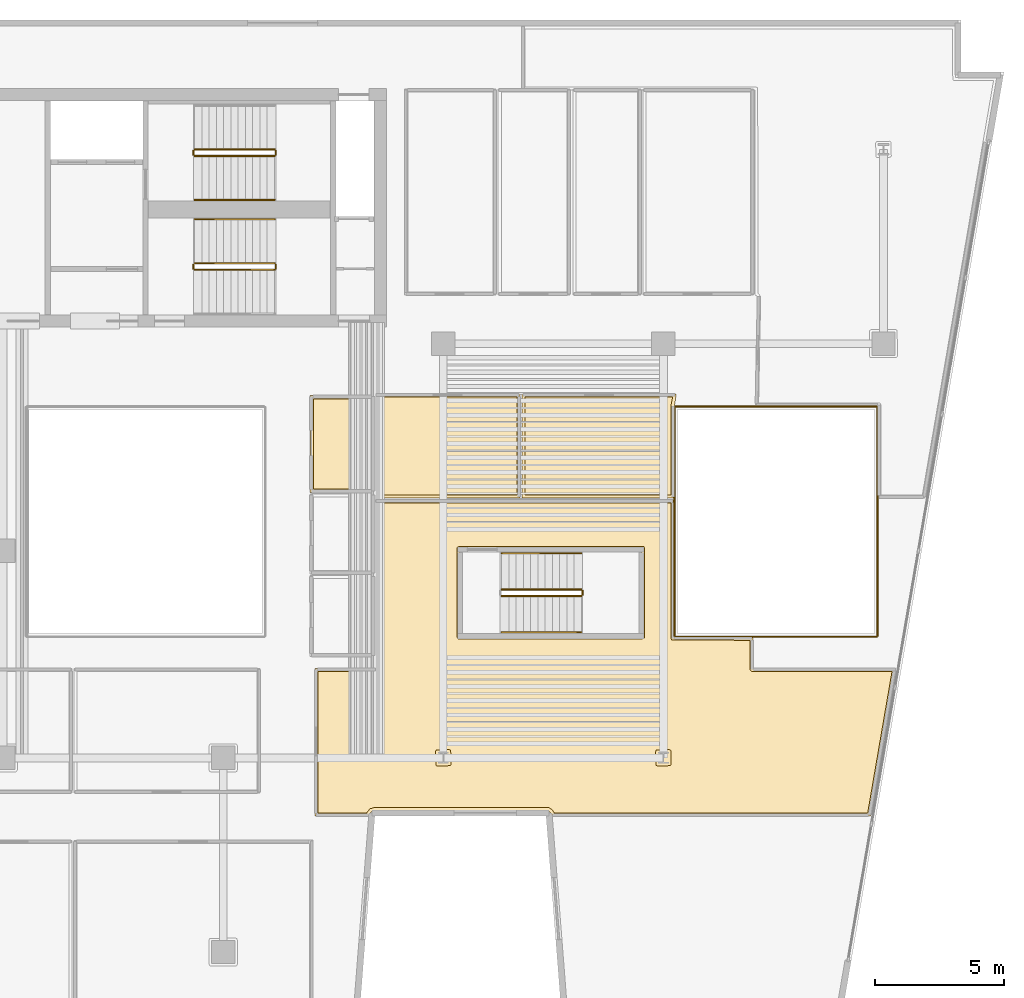
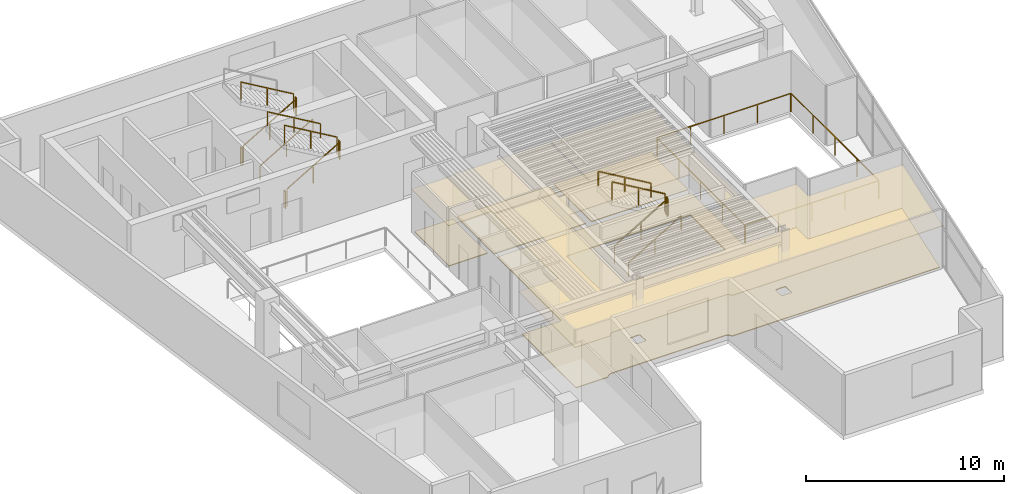
# One storey, part 8 of 9: 19 railings, 8 coverings.
"""IFC4 building model written with IfcOpenShell, lengths in metres."""

from ifc_helpers import new_model, si_unit, direction, frame, origin, origin_2d, place, context, subcontext, project, spatial, polyline, rectangle, outline, extrude, material, layer, layer_set, type_object, element, save


model = new_model("IFC4")

# Units and contexts
model_context = context("Model", 3, precision=1e-05, world=origin(), true_north=direction((0.0, 1.0)))
body_context = subcontext(model_context, "Body", "Model", "MODEL_VIEW")
ifc_project = project(units=[si_unit("LENGTHUNIT", "METRE"), si_unit("AREAUNIT", "SQUARE_METRE"), si_unit("VOLUMEUNIT", "CUBIC_METRE"), si_unit("PLANEANGLEUNIT", "RADIAN"), si_unit("MASSUNIT", "GRAM", prefix="KILO")], contexts=[model_context])

# Site, building, storey
site_placement = place(None, origin())
site = spatial("IfcSite", under=ifc_project, at=site_placement, CompositionType="ELEMENT")
building_placement = place(site_placement, origin())
building = spatial("IfcBuilding", under=site, at=building_placement, Name="Caeloran Harvest Quay", CompositionType="ELEMENT")
storey_placement = place(building_placement, frame((0.0, 0.0, 211.39990234375)))
storey = spatial("IfcBuildingStorey", under=building, at=storey_placement, Name="L50", CompositionType="ELEMENT", Elevation=211.39990234375)

# Coverings
ifc_material_1 = material(Name="Perforated Mineral-Fibre Acoustic Ceiling Tile", Category="ceiling")
ifc_layer_1 = layer(ifc_material_1, 0.0400390625, Name="Perforated Mineral-Fibre Acoustic Ceiling Tile")
ifc_layer_set_1 = layer_set([ifc_layer_1], Name="Perforated Mineral-Fibre Acoustic Ceiling Tile")
covering_type_1 = type_object("IfcCoveringType", Name="COV-CEILING-ACOUSTIC", PredefinedType="CEILING", material=ifc_layer_set_1)
covering_1_placement = place(storey_placement, frame((0.0, 0.0, 2.60009765625)))
element("IfcCovering", 1, at=covering_1_placement, inside=storey, type_object=covering_type_1, Name="L50 Male Washroom WC Acoustic Ceiling", PredefinedType="CEILING", context=body_context, shape_type="SweptSolid", body=[
    extrude(outline(polyline([(22.840087890625, 28.989990234375), (22.840087890625, 25.260009765625), (20.360107421875, 25.260009765625), (20.360107421875, 28.989990234375), (22.840087890625, 28.989990234375)])), origin(), (0.0, 0.0, 1.0), 0.0400390625),
])
covering_2_placement = place(storey_placement, frame((0.0, 0.0, 2.60009765625)))
element("IfcCovering", 2, at=covering_2_placement, inside=storey, type_object=covering_type_1, Name="Roundtable Conference Room Acoustic Ceiling", PredefinedType="CEILING", context=body_context, shape_type="SweptSolid", body=[
    extrude(outline(polyline([(22.594482421875, 12.760009765625), (20.5400390625, 12.760009765625), (20.5400390625, 18.4599609375), (22.85009765625, 18.4599609375), (22.8701171875, 24.9599609375), (34.409912109375, 24.9599609375), (34.409912109375, 19.659912109375), (37.4599609375, 19.659912109375), (37.4599609375, 18.4599609375), (42.972900390625, 18.4599609375), (41.993408203125, 12.760009765625), (29.727294921875, 12.760009765625), (29.64111328125, 12.887451171875), (29.54150390625, 12.969970703125), (22.85791015625, 12.969970703125), (22.792236328125, 12.960205078125), (22.7158203125, 12.918701171875), (22.672607421875, 12.86962890625), (22.64208984375, 12.796142578125), (22.594482421875, 12.760009765625)]), holes=[polyline([(33.159912109375, 19.719970703125), (33.159912109375, 23.059814453125), (26.143798828125, 23.044189453125), (26.15576171875, 19.693603515625), (33.159912109375, 19.719970703125)])]), origin(), (0.0, 0.0, 1.0), 0.0400390625),
])
covering_3_placement = place(storey_placement, frame((0.0, 0.0, 2.60009765625)))
element("IfcCovering", 3, at=covering_3_placement, inside=storey, type_object=covering_type_1, Name="Harbour Tea Kitchen Acoustic Ceiling", PredefinedType="CEILING", context=body_context, shape_type="SweptSolid", body=[
    extrude(outline(polyline([(22.8701171875, 25.0400390625), (22.8701171875, 29.06005859375), (28.4599609375, 29.06005859375), (28.4599609375, 25.0400390625), (22.8701171875, 25.0400390625)])), origin(), (0.0, 0.0, 1.0), 0.0400390625),
])
covering_4_placement = place(storey_placement, frame((0.0, 0.0, 2.60009765625)))
element("IfcCovering", 4, at=covering_4_placement, inside=storey, type_object=covering_type_1, Name="Food-Security Culinary Kitchen 7 Acoustic Ceiling", PredefinedType="CEILING", context=body_context, shape_type="SweptSolid", body=[
    extrude(outline(polyline([(34.409912109375, 28.592041015625), (34.409912109375, 25.0400390625), (28.5400390625, 25.0400390625), (28.5400390625, 29.06005859375), (34.49853515625, 29.06005859375), (34.429931640625, 28.596923828125), (34.409912109375, 28.592041015625)])), origin(), (0.0, 0.0, 1.0), 0.0400390625),
])
ifc_material_2 = material(Name="Calcium-Sulphate Raised Access Floor and Terrazzo Finish", Category="flooring")
ifc_layer_2 = layer(ifc_material_2, 0.050048828125, Name="Calcium-Sulphate Raised Access Floor and Terrazzo Finish")
ifc_layer_set_2 = layer_set([ifc_layer_2], Name="Calcium-Sulphate Raised Access Floor and Terrazzo Finish")
covering_type_2 = type_object("IfcCoveringType", Name="COV-FLOOR-RAISED", PredefinedType="FLOORING", material=ifc_layer_set_2)
covering_5_placement = place(storey_placement, origin())
element("IfcCovering", 5, at=covering_5_placement, inside=storey, type_object=covering_type_2, Name="L50 Male Washroom WC Raised Finish Flooring", PredefinedType="FLOORING", context=body_context, shape_type="SweptSolid", body=[
    extrude(outline(polyline([(22.719970703125, 28.8701171875), (22.719970703125, 25.3798828125), (20.47998046875, 25.3798828125), (20.47998046875, 28.8701171875), (22.719970703125, 28.8701171875)])), origin(), (0.0, 0.0, 1.0), 0.050048828125),
])
covering_6_placement = place(storey_placement, origin())
element("IfcCovering", 6, at=covering_6_placement, inside=storey, type_object=covering_type_2, Name="Roundtable Conference Room Raised Finish Flooring", PredefinedType="FLOORING", context=body_context, shape_type="SweptSolid", body=[
    extrude(outline(polyline([(22.54296875, 12.8798828125), (20.659912109375, 12.8798828125), (20.659912109375, 18.340087890625), (22.889892578125, 18.340087890625), (22.966552734375, 18.396484375), (22.98974609375, 24.840087890625), (34.2900390625, 24.840087890625), (34.2900390625, 19.6201171875), (34.319091796875, 19.55810546875), (37.340087890625, 19.5400390625), (37.34033203125, 18.412109375), (37.412109375, 18.34033203125), (42.83056640625, 18.340087890625), (41.89208984375, 12.8798828125), (29.783447265625, 12.8798828125), (29.709716796875, 12.990478515625), (29.559326171875, 13.090087890625), (22.85302734375, 13.08984375), (22.669189453125, 13.033203125), (22.54296875, 12.8798828125)]), holes=[polyline([(34.302490234375, 14.754150390625), (34.284912109375, 15.288818359375), (34.230712890625, 15.317626953125), (33.726318359375, 15.2998046875), (33.697021484375, 15.238037109375), (33.715087890625, 14.711181640625), (33.777099609375, 14.681884765625), (34.273681640625, 14.7001953125), (34.302490234375, 14.754150390625)]), polyline([(26.103515625, 23.1640625), (26.046875, 23.140380859375), (26.0234375, 23.083984375), (26.035888671875, 19.6533203125), (26.078369140625, 19.5830078125), (33.2001953125, 19.60009765625), (33.2705078125, 19.642333984375), (33.280029296875, 23.10009765625), (33.237548828125, 23.170654296875), (26.103515625, 23.1640625)]), polyline([(25.802490234375, 14.754150390625), (25.784912109375, 15.288818359375), (25.730712890625, 15.317626953125), (25.226318359375, 15.2998046875), (25.197021484375, 15.238037109375), (25.215087890625, 14.711181640625), (25.277099609375, 14.681884765625), (25.773681640625, 14.7001953125), (25.802490234375, 14.754150390625)])]), origin(), (0.0, 0.0, 1.0), 0.050048828125),
])
covering_7_placement = place(storey_placement, origin())
element("IfcCovering", 7, at=covering_7_placement, inside=storey, type_object=covering_type_2, Name="Harbour Tea Kitchen Raised Finish Flooring", PredefinedType="FLOORING", context=body_context, shape_type="SweptSolid", body=[
    extrude(outline(polyline([(22.989990234375, 25.159912109375), (22.989990234375, 28.93994140625), (28.340087890625, 28.93994140625), (28.340087890625, 25.159912109375), (22.989990234375, 25.159912109375)])), origin(), (0.0, 0.0, 1.0), 0.050048828125),
])
covering_8_placement = place(storey_placement, origin())
element("IfcCovering", 8, at=covering_8_placement, inside=storey, type_object=covering_type_2, Name="Food-Security Culinary Kitchen 7 Raised Finish Flooring", PredefinedType="FLOORING", context=body_context, shape_type="SweptSolid", body=[
    extrude(outline(polyline([(34.359619140625, 28.93994140625), (34.2900390625, 28.60009765625), (34.2900390625, 25.159912109375), (28.659912109375, 25.159912109375), (28.659912109375, 28.93994140625), (34.359619140625, 28.93994140625)])), origin(), (0.0, 0.0, 1.0), 0.050048828125),
])

# Railings
ifc_material_3 = material(Name="Powder-Coated Steel Post and Laminated Glass Guardrail", Category="steel")
ifc_layer_3 = layer(ifc_material_3, 0.06005859375, Name="Powder-Coated Steel Post and Laminated Glass Guardrail")
ifc_layer_set_3 = layer_set([ifc_layer_3], Name="Powder-Coated Steel Post and Laminated Glass Guardrail")
railing_type_1 = type_object("IfcRailingType", Name="GUARD-ATRIUM-1150", PredefinedType="GUARDRAIL", material=ifc_layer_set_3)
railing_1_placement = place(storey_placement, frame((34.4619140625, 19.679931640625, 0.0)))
element("IfcRailing", 9, at=railing_1_placement, inside=storey, type_object=railing_type_1, Name="L50 East Botanical Lightwell Guardrail Seg 1", PredefinedType="GUARDRAIL", context=body_context, shape_type="SweptSolid", body=[
    extrude(rectangle(XDim=0.048095703125, YDim=0.048095703125, at=origin_2d()), frame((0.0, 0.0, 1.1259765625), z_axis=(1.0, 0.0, 0.0), x_axis=(0.0, 1.0, 0.0)), (0.0, 0.0, 1.0), 7.776123046875),
    extrude(rectangle(XDim=0.0419921875, YDim=0.0419921875, at=origin_2d()), origin(), (0.0, 0.0, 1.0), 1.101806640625),
    extrude(rectangle(XDim=0.0419921875, YDim=0.0419921875, at=origin_2d()), frame((1.944091796875, 0.0, 0.0)), (0.0, 0.0, 1.0), 1.101806640625),
    extrude(rectangle(XDim=0.0419921875, YDim=0.0419921875, at=origin_2d()), frame((3.88818359375, 0.0, 0.0)), (0.0, 0.0, 1.0), 1.101806640625),
    extrude(rectangle(XDim=0.0419921875, YDim=0.0419921875, at=origin_2d()), frame((5.83203125, 0.0, 0.0)), (0.0, 0.0, 1.0), 1.101806640625),
    extrude(rectangle(XDim=0.0419921875, YDim=0.0419921875, at=origin_2d()), frame((7.776123046875, 0.0, 0.0)), (0.0, 0.0, 1.0), 1.101806640625),
])
railing_2_placement = place(storey_placement, frame((42.27001953125, 19.7119140625, 0.0)))
element("IfcRailing", 10, at=railing_2_placement, inside=storey, type_object=railing_type_1, Name="L50 East Botanical Lightwell Guardrail Seg 2", PredefinedType="GUARDRAIL", context=body_context, shape_type="SweptSolid", body=[
    extrude(rectangle(XDim=0.048095703125, YDim=0.048095703125, at=origin_2d()), frame((0.0, 0.0, 1.1259765625), z_axis=(0.0, 1.0, 0.0), x_axis=(-1.0, 0.0, 0.0)), (0.0, 0.0, 1.0), 8.826171875),
    extrude(rectangle(XDim=0.0419921875, YDim=0.0419921875, at=origin_2d()), origin(), (0.0, 0.0, 1.0), 1.101806640625),
    extrude(rectangle(XDim=0.0419921875, YDim=0.0419921875, at=origin_2d()), frame((0.0, 2.20654296875, 0.0)), (0.0, 0.0, 1.0), 1.101806640625),
    extrude(rectangle(XDim=0.0419921875, YDim=0.0419921875, at=origin_2d()), frame((0.0, 4.4130859375, 0.0)), (0.0, 0.0, 1.0), 1.101806640625),
    extrude(rectangle(XDim=0.0419921875, YDim=0.0419921875, at=origin_2d()), frame((0.0, 6.61962890625, 0.0)), (0.0, 0.0, 1.0), 1.101806640625),
    extrude(rectangle(XDim=0.0419921875, YDim=0.0419921875, at=origin_2d()), frame((0.0, 8.826171875, 0.0)), (0.0, 0.0, 1.0), 1.101806640625),
])
railing_3_placement = place(storey_placement, frame((42.238037109375, 28.570068359375, 0.0)))
element("IfcRailing", 11, at=railing_3_placement, inside=storey, type_object=railing_type_1, Name="L50 East Botanical Lightwell Guardrail Seg 3", PredefinedType="GUARDRAIL", context=body_context, shape_type="SweptSolid", body=[
    extrude(rectangle(XDim=0.048095703125, YDim=0.048095703125, at=origin_2d()), frame((0.0, 0.0, 1.1259765625), z_axis=(-1.0, 0.0, 0.0), x_axis=(0.0, -1.0, 0.0)), (0.0, 0.0, 1.0), 7.776123046875),
    extrude(rectangle(XDim=0.0419921875, YDim=0.0419921875, at=origin_2d()), origin(), (0.0, 0.0, 1.0), 1.101806640625),
    extrude(rectangle(XDim=0.0419921875, YDim=0.0419921875, at=origin_2d()), frame((-1.944091796875, 0.0, 0.0)), (0.0, 0.0, 1.0), 1.101806640625),
    extrude(rectangle(XDim=0.0419921875, YDim=0.0419921875, at=origin_2d()), frame((-3.88818359375, 0.0, 0.0)), (0.0, 0.0, 1.0), 1.101806640625),
    extrude(rectangle(XDim=0.0419921875, YDim=0.0419921875, at=origin_2d()), frame((-5.83203125, 0.0, 0.0)), (0.0, 0.0, 1.0), 1.101806640625),
    extrude(rectangle(XDim=0.0419921875, YDim=0.0419921875, at=origin_2d()), frame((-7.776123046875, 0.0, 0.0)), (0.0, 0.0, 1.0), 1.101806640625),
])
railing_4_placement = place(storey_placement, frame((34.429931640625, 28.5380859375, 0.0)))
element("IfcRailing", 12, at=railing_4_placement, inside=storey, type_object=railing_type_1, Name="L50 East Botanical Lightwell Guardrail Seg 4", PredefinedType="GUARDRAIL", context=body_context, shape_type="SweptSolid", body=[
    extrude(rectangle(XDim=0.048095703125, YDim=0.048095703125, at=origin_2d()), frame((0.0, 0.0, 1.1259765625), z_axis=(0.0, -1.0, 0.0), x_axis=(1.0, 0.0, 0.0)), (0.0, 0.0, 1.0), 8.826171875),
    extrude(rectangle(XDim=0.0419921875, YDim=0.0419921875, at=origin_2d()), origin(), (0.0, 0.0, 1.0), 1.101806640625),
    extrude(rectangle(XDim=0.0419921875, YDim=0.0419921875, at=origin_2d()), frame((0.0, -2.20654296875, 0.0)), (0.0, 0.0, 1.0), 1.101806640625),
    extrude(rectangle(XDim=0.0419921875, YDim=0.0419921875, at=origin_2d()), frame((0.0, -4.4130859375, 0.0)), (0.0, 0.0, 1.0), 1.101806640625),
    extrude(rectangle(XDim=0.0419921875, YDim=0.0419921875, at=origin_2d()), frame((0.0, -6.61962890625, 0.0)), (0.0, 0.0, 1.0), 1.101806640625),
    extrude(rectangle(XDim=0.0419921875, YDim=0.0419921875, at=origin_2d()), frame((0.0, -8.826171875, 0.0)), (0.0, 0.0, 1.0), 1.101806640625),
])
ifc_material_4 = material(Name="Painted Steel Baluster and Top-Rail Stair Guard", Category="steel")
ifc_layer_4 = layer(ifc_material_4, 0.050048828125, Name="Painted Steel Baluster and Top-Rail Stair Guard")
ifc_layer_set_4 = layer_set([ifc_layer_4], Name="Painted Steel Baluster and Top-Rail Stair Guard")
railing_type_2 = type_object("IfcRailingType", Name="STAIR-GUARD-1100", PredefinedType="GUARDRAIL", material=ifc_layer_set_4)
railing_5_placement = place(storey_placement, frame((15.89990234375, 38.25, 0.164794921875)))
element("IfcRailing", 13, at=railing_5_placement, inside=storey, type_object=railing_type_2, Name="L50 ST-C1 stair guard 1", PredefinedType="GUARDRAIL", context=body_context, shape_type="SweptSolid", body=[
    extrude(rectangle(XDim=0.048095703125, YDim=0.048095703125, at=origin_2d()), frame((0.0, 0.0, 1.076171875), z_axis=(0.862118610829, 0.0, 0.506706523406), x_axis=(0.0, 1.0, 0.0)), (0.0, 0.0, 1.0), 3.57275390625),
    extrude(rectangle(XDim=0.0419921875, YDim=0.0419921875, at=origin_2d()), origin(), (0.0, 0.0, 1.0), 1.052001953125),
    extrude(rectangle(XDim=0.0419921875, YDim=0.0419921875, at=origin_2d()), frame((1.5400390625, 0.0, 0.9052734375)), (0.0, 0.0, 1.0), 1.052001953125),
    extrude(rectangle(XDim=0.0419921875, YDim=0.0419921875, at=origin_2d()), frame((3.080078125, 0.0, 1.810302734375)), (0.0, 0.0, 1.0), 1.052001953125),
])
railing_6_placement = place(storey_placement, frame((19.030029296875, 38.300048828125, 1.97509765625)))
element("IfcRailing", 14, at=railing_6_placement, inside=storey, type_object=railing_type_2, Name="L50 ST-C1 stair guard 2", PredefinedType="GUARDRAIL", context=body_context, shape_type="SweptSolid", body=[
    extrude(rectangle(XDim=0.048095703125, YDim=0.048095703125, at=origin_2d()), frame((0.0, 0.0, 1.076171875), z_axis=(0.0, 1.0, 0.0), x_axis=(-1.0, 0.0, 0.0)), (0.0, 0.0, 1.0), 0.14990234375),
    extrude(rectangle(XDim=0.0419921875, YDim=0.0419921875, at=origin_2d()), origin(), (0.0, 0.0, 1.0), 1.052001953125),
    extrude(rectangle(XDim=0.0419921875, YDim=0.0419921875, at=origin_2d()), frame((0.0, 0.14990234375, 0.0)), (0.0, 0.0, 1.0), 1.052001953125),
])
railing_7_placement = place(storey_placement, frame((18.97998046875, 38.5, 2.1396484375)))
element("IfcRailing", 15, at=railing_7_placement, inside=storey, type_object=railing_type_2, Name="L50 ST-C1 stair guard 3", PredefinedType="GUARDRAIL", context=body_context, shape_type="SweptSolid", body=[
    extrude(rectangle(XDim=0.048095703125, YDim=0.048095703125, at=origin_2d()), frame((0.0, 0.0, 1.076171875), z_axis=(-0.862088758681, 0.0, 0.506757310905), x_axis=(0.0, -1.0, 0.0)), (0.0, 0.0, 1.0), 3.57275390625),
    extrude(rectangle(XDim=0.0419921875, YDim=0.0419921875, at=origin_2d()), origin(), (0.0, 0.0, 1.0), 1.052001953125),
    extrude(rectangle(XDim=0.0419921875, YDim=0.0419921875, at=origin_2d()), frame((-1.5400390625, 0.0, 0.9052734375)), (0.0, 0.0, 1.0), 1.052001953125),
    extrude(rectangle(XDim=0.0419921875, YDim=0.0419921875, at=origin_2d()), frame((-3.080078125, 0.0, 1.810546875)), (0.0, 0.0, 1.0), 1.052001953125),
])
railing_8_placement = place(storey_placement, frame((15.85009765625, 38.300048828125, 0.0)))
element("IfcRailing", 16, at=railing_8_placement, inside=storey, type_object=railing_type_2, Name="L50 ST-C1 stair guard 4", PredefinedType="GUARDRAIL", context=body_context, shape_type="SweptSolid", body=[
    extrude(rectangle(XDim=0.048095703125, YDim=0.048095703125, at=origin_2d()), frame((0.0, 0.0, 1.076171875), z_axis=(0.0, 1.0, 0.0), x_axis=(-1.0, 0.0, 0.0)), (0.0, 0.0, 1.0), 0.14990234375),
    extrude(rectangle(XDim=0.0419921875, YDim=0.0419921875, at=origin_2d()), origin(), (0.0, 0.0, 1.0), 1.052001953125),
    extrude(rectangle(XDim=0.0419921875, YDim=0.0419921875, at=origin_2d()), frame((0.0, 0.14990234375, 0.0)), (0.0, 0.0, 1.0), 1.052001953125),
])
railing_9_placement = place(storey_placement, frame((15.89990234375, 33.85009765625, 0.164794921875)))
element("IfcRailing", 17, at=railing_9_placement, inside=storey, type_object=railing_type_2, Name="L50 ST-C2 stair guard 1", PredefinedType="GUARDRAIL", context=body_context, shape_type="SweptSolid", body=[
    extrude(rectangle(XDim=0.048095703125, YDim=0.048095703125, at=origin_2d()), frame((0.0, 0.0, 1.076171875), z_axis=(0.862118610829, 0.0, 0.506706523406), x_axis=(0.0, 1.0, 0.0)), (0.0, 0.0, 1.0), 3.57275390625),
    extrude(rectangle(XDim=0.0419921875, YDim=0.0419921875, at=origin_2d()), origin(), (0.0, 0.0, 1.0), 1.052001953125),
    extrude(rectangle(XDim=0.0419921875, YDim=0.0419921875, at=origin_2d()), frame((1.5400390625, 0.0, 0.9052734375)), (0.0, 0.0, 1.0), 1.052001953125),
    extrude(rectangle(XDim=0.0419921875, YDim=0.0419921875, at=origin_2d()), frame((3.080078125, 0.0, 1.810302734375)), (0.0, 0.0, 1.0), 1.052001953125),
])
railing_10_placement = place(storey_placement, frame((19.030029296875, 33.89990234375, 1.97509765625)))
element("IfcRailing", 18, at=railing_10_placement, inside=storey, type_object=railing_type_2, Name="L50 ST-C2 stair guard 2", PredefinedType="GUARDRAIL", context=body_context, shape_type="SweptSolid", body=[
    extrude(rectangle(XDim=0.048095703125, YDim=0.048095703125, at=origin_2d()), frame((0.0, 0.0, 1.076171875), z_axis=(0.0, 1.0, 0.0), x_axis=(-1.0, 0.0, 0.0)), (0.0, 0.0, 1.0), 0.150146484375),
    extrude(rectangle(XDim=0.0419921875, YDim=0.0419921875, at=origin_2d()), origin(), (0.0, 0.0, 1.0), 1.052001953125),
    extrude(rectangle(XDim=0.0419921875, YDim=0.0419921875, at=origin_2d()), frame((0.0, 0.150146484375, 0.0)), (0.0, 0.0, 1.0), 1.052001953125),
])
railing_11_placement = place(storey_placement, frame((18.97998046875, 34.10009765625, 2.1396484375)))
element("IfcRailing", 19, at=railing_11_placement, inside=storey, type_object=railing_type_2, Name="L50 ST-C2 stair guard 3", PredefinedType="GUARDRAIL", context=body_context, shape_type="SweptSolid", body=[
    extrude(rectangle(XDim=0.048095703125, YDim=0.048095703125, at=origin_2d()), frame((0.0, 0.0, 1.076171875), z_axis=(-0.862088758681, 0.0, 0.506757310905), x_axis=(0.0, -1.0, 0.0)), (0.0, 0.0, 1.0), 3.57275390625),
    extrude(rectangle(XDim=0.0419921875, YDim=0.0419921875, at=origin_2d()), origin(), (0.0, 0.0, 1.0), 1.052001953125),
    extrude(rectangle(XDim=0.0419921875, YDim=0.0419921875, at=origin_2d()), frame((-1.5400390625, 0.0, 0.9052734375)), (0.0, 0.0, 1.0), 1.052001953125),
    extrude(rectangle(XDim=0.0419921875, YDim=0.0419921875, at=origin_2d()), frame((-3.080078125, 0.0, 1.810546875)), (0.0, 0.0, 1.0), 1.052001953125),
])
railing_12_placement = place(storey_placement, frame((15.85009765625, 33.89990234375, 0.0)))
element("IfcRailing", 20, at=railing_12_placement, inside=storey, type_object=railing_type_2, Name="L50 ST-C2 stair guard 4", PredefinedType="GUARDRAIL", context=body_context, shape_type="SweptSolid", body=[
    extrude(rectangle(XDim=0.048095703125, YDim=0.048095703125, at=origin_2d()), frame((0.0, 0.0, 1.076171875), z_axis=(0.0, 1.0, 0.0), x_axis=(-1.0, 0.0, 0.0)), (0.0, 0.0, 1.0), 0.150146484375),
    extrude(rectangle(XDim=0.0419921875, YDim=0.0419921875, at=origin_2d()), origin(), (0.0, 0.0, 1.0), 1.052001953125),
    extrude(rectangle(XDim=0.0419921875, YDim=0.0419921875, at=origin_2d()), frame((0.0, 0.150146484375, 0.0)), (0.0, 0.0, 1.0), 1.052001953125),
])
railing_13_placement = place(storey_placement, frame((27.75, 21.25, 0.164794921875)))
element("IfcRailing", 21, at=railing_13_placement, inside=storey, type_object=railing_type_2, Name="L50 ST-W1 stair guard 1", PredefinedType="GUARDRAIL", context=body_context, shape_type="SweptSolid", body=[
    extrude(rectangle(XDim=0.048095703125, YDim=0.048095703125, at=origin_2d()), frame((0.0, 0.0, 1.076171875), z_axis=(0.862118610829, 0.0, 0.506706523406), x_axis=(0.0, 1.0, 0.0)), (0.0, 0.0, 1.0), 3.57275390625),
    extrude(rectangle(XDim=0.0419921875, YDim=0.0419921875, at=origin_2d()), origin(), (0.0, 0.0, 1.0), 1.052001953125),
    extrude(rectangle(XDim=0.0419921875, YDim=0.0419921875, at=origin_2d()), frame((1.5400390625, 0.0, 0.9052734375)), (0.0, 0.0, 1.0), 1.052001953125),
    extrude(rectangle(XDim=0.0419921875, YDim=0.0419921875, at=origin_2d()), frame((3.080078125, 0.0, 1.810302734375)), (0.0, 0.0, 1.0), 1.052001953125),
])
railing_14_placement = place(storey_placement, frame((30.8798828125, 21.300048828125, 1.97509765625)))
element("IfcRailing", 22, at=railing_14_placement, inside=storey, type_object=railing_type_2, Name="L50 ST-W1 stair guard 2", PredefinedType="GUARDRAIL", context=body_context, shape_type="SweptSolid", body=[
    extrude(rectangle(XDim=0.048095703125, YDim=0.048095703125, at=origin_2d()), frame((0.0, 0.0, 1.076171875), z_axis=(0.0, 1.0, 0.0), x_axis=(-1.0, 0.0, 0.0)), (0.0, 0.0, 1.0), 0.14990234375),
    extrude(rectangle(XDim=0.0419921875, YDim=0.0419921875, at=origin_2d()), origin(), (0.0, 0.0, 1.0), 1.052001953125),
    extrude(rectangle(XDim=0.0419921875, YDim=0.0419921875, at=origin_2d()), frame((0.0, 0.14990234375, 0.0)), (0.0, 0.0, 1.0), 1.052001953125),
])
railing_15_placement = place(storey_placement, frame((30.830078125, 21.5, 2.1396484375)))
element("IfcRailing", 23, at=railing_15_placement, inside=storey, type_object=railing_type_2, Name="L50 ST-W1 stair guard 3", PredefinedType="GUARDRAIL", context=body_context, shape_type="SweptSolid", body=[
    extrude(rectangle(XDim=0.048095703125, YDim=0.048095703125, at=origin_2d()), frame((0.0, 0.0, 1.076171875), z_axis=(-0.862088758681, 0.0, 0.506757310905), x_axis=(0.0, -1.0, 0.0)), (0.0, 0.0, 1.0), 3.57275390625),
    extrude(rectangle(XDim=0.0419921875, YDim=0.0419921875, at=origin_2d()), origin(), (0.0, 0.0, 1.0), 1.052001953125),
    extrude(rectangle(XDim=0.0419921875, YDim=0.0419921875, at=origin_2d()), frame((-1.5400390625, 0.0, 0.9052734375)), (0.0, 0.0, 1.0), 1.052001953125),
    extrude(rectangle(XDim=0.0419921875, YDim=0.0419921875, at=origin_2d()), frame((-3.080078125, 0.0, 1.810546875)), (0.0, 0.0, 1.0), 1.052001953125),
])
ifc_material_5 = material(Name="Brushed Stainless Steel Grade 304", Category="steel")
ifc_layer_5 = layer(ifc_material_5, 0.050048828125, Name="Brushed Stainless Steel Grade 304")
ifc_layer_set_5 = layer_set([ifc_layer_5], Name="Brushed Stainless Steel Grade 304")
railing_type_3 = type_object("IfcRailingType", Name="STAIR-HANDRAIL-900", PredefinedType="HANDRAIL", material=ifc_layer_set_5)
railing_16_placement = place(storey_placement, frame((15.89990234375, 36.550048828125, 0.164794921875)))
element("IfcRailing", 24, at=railing_16_placement, inside=storey, type_object=railing_type_3, Name="L50 ST-C1 stair handrail 1", PredefinedType="HANDRAIL", context=body_context, shape_type="SweptSolid", body=[
    extrude(rectangle(XDim=0.048095703125, YDim=0.048095703125, at=origin_2d()), frame((0.0, 0.0, 0.8759765625), z_axis=(0.862118610829, 0.0, 0.506706523406), x_axis=(0.0, 1.0, 0.0)), (0.0, 0.0, 1.0), 3.57275390625),
    extrude(rectangle(XDim=0.0419921875, YDim=0.0419921875, at=origin_2d()), origin(), (0.0, 0.0, 1.0), 0.851806640625),
    extrude(rectangle(XDim=0.0419921875, YDim=0.0419921875, at=origin_2d()), frame((1.5400390625, 0.0, 0.9052734375)), (0.0, 0.0, 1.0), 0.851806640625),
    extrude(rectangle(XDim=0.0419921875, YDim=0.0419921875, at=origin_2d()), frame((3.080078125, 0.0, 1.810302734375)), (0.0, 0.0, 1.0), 0.851806640625),
])
railing_17_placement = place(storey_placement, frame((18.97998046875, 35.800048828125, 2.1396484375)))
element("IfcRailing", 25, at=railing_17_placement, inside=storey, type_object=railing_type_3, Name="L50 ST-C2 stair handrail 2", PredefinedType="HANDRAIL", context=body_context, shape_type="SweptSolid", body=[
    extrude(rectangle(XDim=0.048095703125, YDim=0.048095703125, at=origin_2d()), frame((0.0, 0.0, 0.8759765625), z_axis=(-0.862088758681, 0.0, 0.506757310905), x_axis=(0.0, -1.0, 0.0)), (0.0, 0.0, 1.0), 3.57275390625),
    extrude(rectangle(XDim=0.0419921875, YDim=0.0419921875, at=origin_2d()), origin(), (0.0, 0.0, 1.0), 0.851806640625),
    extrude(rectangle(XDim=0.0419921875, YDim=0.0419921875, at=origin_2d()), frame((-1.5400390625, 0.0, 0.9052734375)), (0.0, 0.0, 1.0), 0.851806640625),
    extrude(rectangle(XDim=0.0419921875, YDim=0.0419921875, at=origin_2d()), frame((-3.080078125, 0.0, 1.810546875)), (0.0, 0.0, 1.0), 0.851806640625),
])
railing_18_placement = place(storey_placement, frame((27.75, 19.85009765625, 0.164794921875)))
element("IfcRailing", 26, at=railing_18_placement, inside=storey, type_object=railing_type_3, Name="L50 ST-W1 stair handrail 1", PredefinedType="HANDRAIL", context=body_context, shape_type="SweptSolid", body=[
    extrude(rectangle(XDim=0.048095703125, YDim=0.048095703125, at=origin_2d()), frame((0.0, 0.0, 0.8759765625), z_axis=(0.862118610829, 0.0, 0.506706523406), x_axis=(0.0, 1.0, 0.0)), (0.0, 0.0, 1.0), 3.57275390625),
    extrude(rectangle(XDim=0.0419921875, YDim=0.0419921875, at=origin_2d()), origin(), (0.0, 0.0, 1.0), 0.851806640625),
    extrude(rectangle(XDim=0.0419921875, YDim=0.0419921875, at=origin_2d()), frame((1.5400390625, 0.0, 0.9052734375)), (0.0, 0.0, 1.0), 0.851806640625),
    extrude(rectangle(XDim=0.0419921875, YDim=0.0419921875, at=origin_2d()), frame((3.080078125, 0.0, 1.810302734375)), (0.0, 0.0, 1.0), 0.851806640625),
])
railing_19_placement = place(storey_placement, frame((30.830078125, 22.89990234375, 2.1396484375)))
element("IfcRailing", 27, at=railing_19_placement, inside=storey, type_object=railing_type_3, Name="L50 ST-W1 stair handrail 2", PredefinedType="HANDRAIL", context=body_context, shape_type="SweptSolid", body=[
    extrude(rectangle(XDim=0.048095703125, YDim=0.048095703125, at=origin_2d()), frame((0.0, 0.0, 0.8759765625), z_axis=(-0.862088758681, 0.0, 0.506757310905), x_axis=(0.0, -1.0, 0.0)), (0.0, 0.0, 1.0), 3.57275390625),
    extrude(rectangle(XDim=0.0419921875, YDim=0.0419921875, at=origin_2d()), origin(), (0.0, 0.0, 1.0), 0.851806640625),
    extrude(rectangle(XDim=0.0419921875, YDim=0.0419921875, at=origin_2d()), frame((-1.5400390625, 0.0, 0.9052734375)), (0.0, 0.0, 1.0), 0.851806640625),
    extrude(rectangle(XDim=0.0419921875, YDim=0.0419921875, at=origin_2d()), frame((-3.080078125, 0.0, 1.810546875)), (0.0, 0.0, 1.0), 0.851806640625),
])

save(model, "model.ifc")
